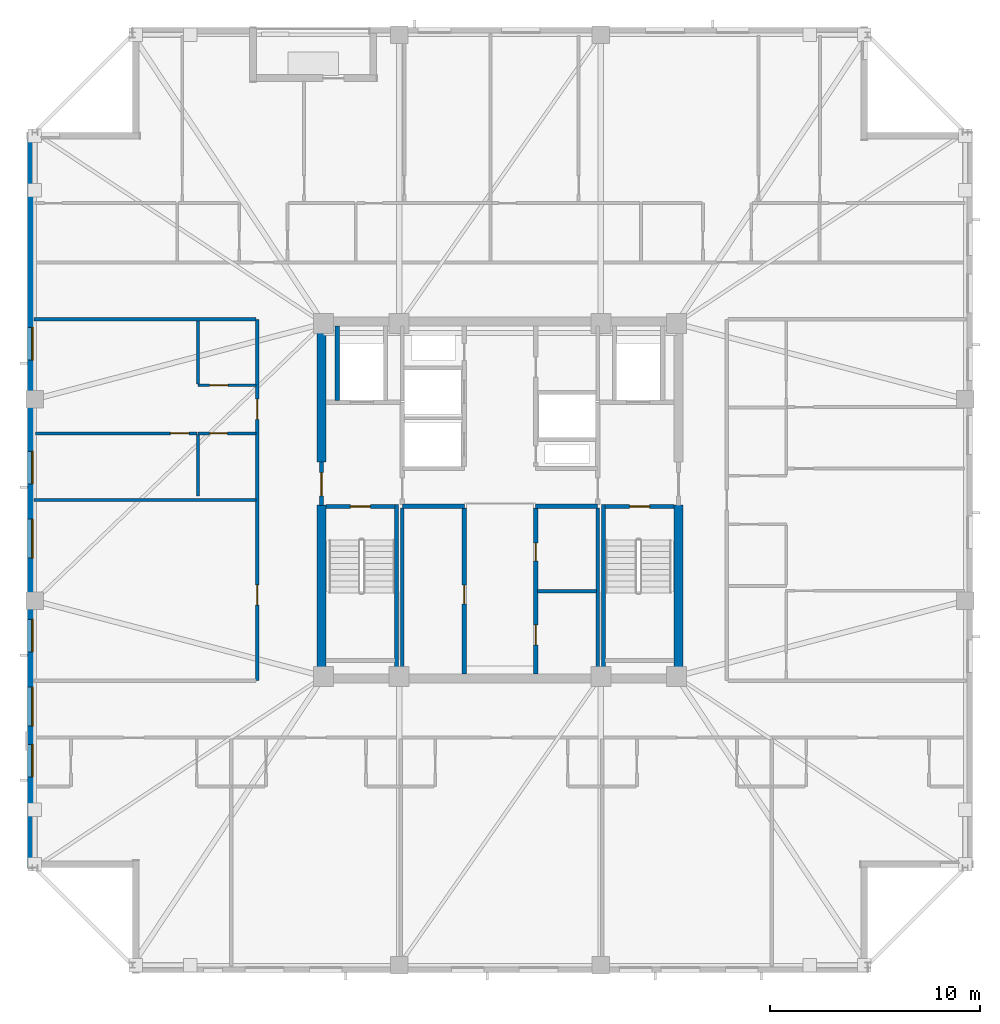
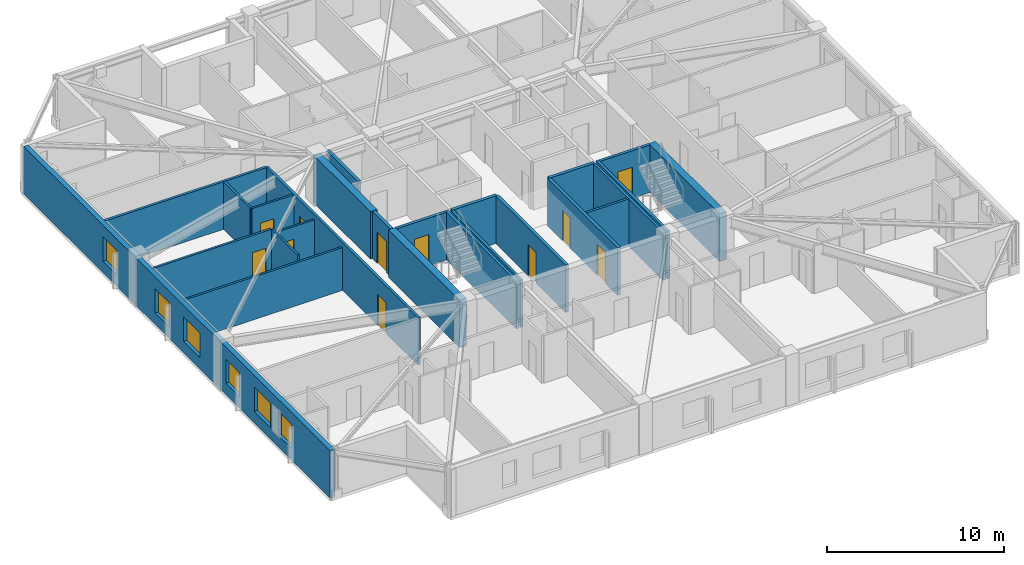
# One storey, part 8 of 17: 25 walls, 11 doors, 6 windows, 17 openings.
"""IFC4 building model written with IfcOpenShell, lengths in metres."""

from ifc_helpers import new_model, si_unit, direction, frame, frame_2d, origin, place, context, subcontext, project, spatial, rectangle, extrude, material, layer, layer_set, type_object, element, fill, save


model = new_model("IFC4")

# Units and contexts
model_context = context("Model", 3, precision=1e-05, world=origin(), true_north=direction((0.0, 1.0)))
body_context = subcontext(model_context, "Body", "Model", "MODEL_VIEW")
ifc_project = project(units=[si_unit("LENGTHUNIT", "METRE"), si_unit("AREAUNIT", "SQUARE_METRE"), si_unit("VOLUMEUNIT", "CUBIC_METRE"), si_unit("PLANEANGLEUNIT", "RADIAN"), si_unit("MASSUNIT", "GRAM", prefix="KILO")], contexts=[model_context])

# Site, building, storey
site_placement = place(None, origin())
site = spatial("IfcSite", under=ifc_project, at=site_placement, CompositionType="ELEMENT")
building_placement = place(site_placement, origin())
building = spatial("IfcBuilding", under=site, at=building_placement, Name="Cairnveth Concourse Tower", CompositionType="ELEMENT")
storey_placement = place(building_placement, frame((0.0, 0.0, 220.0)))
storey = spatial("IfcBuildingStorey", under=building, at=storey_placement, Name="L60", CompositionType="ELEMENT", Elevation=220.0)

# Walls
ifc_material_1 = material(Name="Gypsum Plasterboard Partition", Category="gypsum")
ifc_layer_1 = layer(ifc_material_1, 0.159912109375)
ifc_layer_set_1 = layer_set([ifc_layer_1], Name="Gypsum Plasterboard Partition")
wall_type_1 = type_object("IfcWallType", Name="ACOUSTIC PARTY WALL 180", PredefinedType="PARTITIONING", material=ifc_layer_set_1)
for number, where, z_axis, x_axis, name in (
    (1, (47.35009765625, 30.7099609375, 0.0), (0.0, 0.0, 1.0), (0.0, 1.0, 0.0), "Interior Wall IW-L60-025"),
    (2, (56.64990234375, 30.7099609375, 0.0), (0.0, 0.0, 1.0), (0.0, 1.0, 0.0), "Interior Wall IW-L60-026"),
):
    element("IfcWall", number, at=place(storey_placement, frame(where, z_axis=z_axis, x_axis=x_axis)), inside=storey, type_object=wall_type_1, Name=name, PredefinedType="PARTITIONING", context=body_context, shape_type="SweptSolid", body=[
        extrude(rectangle(XDim=7.905029296875, YDim=0.159912109375, at=frame_2d((3.95263671875, 0.0))), origin(), (0.0, 0.0, 1.0), 3.2900390625),
    ])
wall_1_placement = place(storey_placement, frame((53.784912109375, 34.64990234375, 0.0), z_axis=(0.0, 0.0, 1.0), x_axis=(1.0, 0.0, 0.0)))
element("IfcWall", 3, at=wall_1_placement, inside=storey, type_object=wall_type_1, Name="Interior Wall IW-L60-027", PredefinedType="PARTITIONING", context=body_context, shape_type="SweptSolid", body=[
    extrude(rectangle(XDim=2.800048828125, YDim=0.159912109375, at=frame_2d((1.39990234375, 0.0))), origin(), (0.0, 0.0, 1.0), 3.2900390625),
])

# Wall, openings, doors
wall_2_placement = place(storey_placement, frame((40.449951171875, 30.39990234375, 0.0), z_axis=(0.0, 0.0, 1.0), x_axis=(0.0, 1.0, 0.0)))
wall_2 = element("IfcWall", 4, at=wall_2_placement, inside=storey, type_object=wall_type_1, Name="Interior Wall IW-L60-036", PredefinedType="PARTITIONING", context=body_context, shape_type="SweptSolid", body=[
    extrude(rectangle(XDim=17.2001953125, YDim=0.159912109375, at=frame_2d((8.60009765625, 0.0))), origin(), (0.0, 0.0, 1.0), 3.2900390625),
])
opening_1_placement = place(wall_2_placement, frame((3.60009765625, 0.0, 0.0)))
opening_1 = element("IfcOpeningElement", 5, at=opening_1_placement, cuts=wall_2, Name="Opening ID11", PredefinedType="OPENING", context=body_context, shape_type="SweptSolid", body=[
    extrude(rectangle(XDim=0.9599609375, YDim=2.1201171875, at=frame_2d((0.47998046875, 1.06005859375))), frame((0.0, 0.08984375, 0.0), z_axis=(0.0, -1.0, 0.0), x_axis=(1.0, 0.0, 0.0)), (0.0, 0.0, 1.0), 0.179931640625),
])
opening_2_placement = place(wall_2_placement, frame((12.43994140625, 0.0, 0.0)))
opening_2 = element("IfcOpeningElement", 6, at=opening_2_placement, cuts=wall_2, Name="Opening ID10", PredefinedType="OPENING", context=body_context, shape_type="SweptSolid", body=[
    extrude(rectangle(XDim=0.9599609375, YDim=2.179931640625, at=frame_2d((0.47998046875, 1.08984375))), frame((0.0, 0.08984375, 0.0), z_axis=(0.0, -1.0, 0.0), x_axis=(1.0, 0.0, 0.0)), (0.0, 0.0, 1.0), 0.179931640625),
])
ifc_material_2 = material(Name="Solid Core Hardwood Timber Leaf", Category="wood")
door_type_1 = type_object("IfcDoorType", Name="FLAT ENTRANCE DOOR 960X2150", OperationType="NOTDEFINED", PredefinedType="DOOR", material=ifc_material_2)
door_1_placement = place(opening_2_placement, origin())
door_1 = element("IfcDoor", 7, at=door_1_placement, inside=storey, type_object=door_type_1, Name="Apartment L60W1 Entrance Door", OperationType="SINGLE_SWING_RIGHT", OverallHeight=2.179931640625, OverallWidth=0.9599609375, PredefinedType="DOOR", context=body_context, shape_type="SweptSolid", body=[
    extrude(rectangle(XDim=0.9599609375, YDim=2.179931640625, at=frame_2d((0.47998046875, 1.08984375))), frame((0.0, 0.02490234375, 0.0), z_axis=(0.0, -1.0, 0.0), x_axis=(1.0, 0.0, 0.0)), (0.0, 0.0, 1.0), 0.050048828125),
])
fill(opening_2, door_1)
door_type_2 = type_object("IfcDoorType", Name="INTERIOR SINGLE DOOR 960X2150", OperationType="NOTDEFINED", PredefinedType="DOOR", material=ifc_material_2)
door_2_placement = place(opening_1_placement, origin())
door_2 = element("IfcDoor", 8, at=door_2_placement, inside=storey, type_object=door_type_2, Name="Interior Door DR-L60-046", OperationType="SINGLE_SWING_RIGHT", OverallHeight=2.1201171875, OverallWidth=0.9599609375, PredefinedType="DOOR", context=body_context, shape_type="SweptSolid", body=[
    extrude(rectangle(XDim=0.9599609375, YDim=2.1201171875, at=frame_2d((0.47998046875, 1.06005859375))), frame((0.0, 0.02490234375, 0.0), z_axis=(0.0, -1.0, 0.0), x_axis=(1.0, 0.0, 0.0)), (0.0, 0.0, 1.0), 0.050048828125),
])
fill(opening_1, door_2)

# Walls
wall_3_placement = place(storey_placement, frame((29.804931640625, 47.60009765625, 0.0), z_axis=(0.0, 0.0, 1.0), x_axis=(1.0, 0.0, 0.0)))
element("IfcWall", 9, at=wall_3_placement, inside=storey, type_object=wall_type_1, Name="Interior Wall IW-L60-039", PredefinedType="PARTITIONING", context=body_context, shape_type="SweptSolid", body=[
    extrude(rectangle(XDim=10.580078125, YDim=0.159912109375, at=frame_2d((5.2900390625, 0.0))), origin(), (0.0, 0.0, 1.0), 3.2900390625),
])
ifc_material_3 = material(Name="Concrete N65 (65 MPa)", Category="concrete")
ifc_layer_2 = layer(ifc_material_3, 0.449951171875)
ifc_layer_set_2 = layer_set([ifc_layer_2], Name="Concrete N65 (65 MPa)")
wall_type_2 = type_object("IfcWallType", Name="CORE SHEAR WALL 450", PredefinedType="SHEAR", material=ifc_layer_set_2)
wall_4_placement = place(storey_placement, frame((43.5, 30.715087890625, 0.0), z_axis=(0.0, 0.0, 1.0), x_axis=(0.0, 1.0, 0.0)))
element("IfcWall", 10, at=wall_4_placement, inside=storey, type_object=wall_type_2, Name="Core West Shear Wall S L60", PredefinedType="SHEAR", context=body_context, shape_type="SweptSolid", body=[
    extrude(rectangle(XDim=8.034912109375, YDim=0.449951171875, at=frame_2d((4.017578125, 0.0))), origin(), (0.0, 0.0, 1.0), 3.2900390625),
])
wall_5_placement = place(storey_placement, frame((43.5, 40.800048828125, 0.0), z_axis=(0.0, 0.0, 1.0), x_axis=(0.0, 1.0, 0.0)))
element("IfcWall", 11, at=wall_5_placement, inside=storey, type_object=wall_type_2, Name="Core West Shear Wall N L60", PredefinedType="SHEAR", context=body_context, shape_type="SweptSolid", body=[
    extrude(rectangle(XDim=6.48486328125, YDim=0.449951171875, at=frame_2d((3.242431640625, 0.0))), origin(), (0.0, 0.0, 1.0), 3.2900390625),
])
wall_6_placement = place(storey_placement, frame((60.5, 30.715087890625, 0.0), z_axis=(0.0, 0.0, 1.0), x_axis=(0.0, 1.0, 0.0)))
element("IfcWall", 12, at=wall_6_placement, inside=storey, type_object=wall_type_2, Name="Core East Shear Wall S L60", PredefinedType="SHEAR", context=body_context, shape_type="SweptSolid", body=[
    extrude(rectangle(XDim=8.034912109375, YDim=0.449951171875, at=frame_2d((4.017578125, 0.0))), origin(), (0.0, 0.0, 1.0), 3.2900390625),
])

# Wall, opening, door
ifc_material_4 = material(Name="Concrete N50 (50 MPa)", Category="concrete")
ifc_layer_3 = layer(ifc_material_4, 0.179931640625)
ifc_layer_set_3 = layer_set([ifc_layer_3], Name="Concrete N50 (50 MPa)")
wall_type_3 = type_object("IfcWallType", Name="FIRE SHAFT WALL 180", PredefinedType="SOLIDWALL", material=ifc_layer_set_3)
wall_7_placement = place(storey_placement, frame((43.715087890625, 38.68994140625, 0.0), z_axis=(0.0, 0.0, 1.0), x_axis=(1.0, 0.0, 0.0)))
wall_7 = element("IfcWall", 13, at=wall_7_placement, inside=storey, type_object=wall_type_3, Name="Stair ST-1 Shaft Wall NEAR L60", PredefinedType="SOLIDWALL", context=body_context, shape_type="SweptSolid", body=[
    extrude(rectangle(XDim=3.280029296875, YDim=0.179931640625, at=frame_2d((1.64013671875, 0.0))), origin(), (0.0, 0.0, 1.0), 3.2900390625),
])
opening_3_placement = place(wall_7_placement, frame((1.1650390625, 0.0, 0.0)))
opening_3 = element("IfcOpeningElement", 14, at=opening_3_placement, cuts=wall_7, Name="Opening ID12", PredefinedType="OPENING", context=body_context, shape_type="SweptSolid", body=[
    extrude(rectangle(XDim=0.949951171875, YDim=2.14990234375, at=frame_2d((0.47509765625, 1.074951171875))), frame((0.0, 0.099853515625, 0.0), z_axis=(0.0, -1.0, 0.0), x_axis=(1.0, 0.0, 0.0)), (0.0, 0.0, 1.0), 0.199951171875),
])
ifc_material_5 = material(Name="Steel Grade 350", Category="steel")
door_type_3 = type_object("IfcDoorType", Name="FIRE STAIR DOOR 950X2150", OperationType="NOTDEFINED", PredefinedType="DOOR", material=ifc_material_5)
door_3_placement = place(opening_3_placement, origin())
door_3 = element("IfcDoor", 15, at=door_3_placement, inside=storey, type_object=door_type_3, Name="Stair ST-1 Fire Door L60", OperationType="SINGLE_SWING_LEFT", OverallHeight=2.14990234375, OverallWidth=0.949951171875, PredefinedType="DOOR", context=body_context, shape_type="SweptSolid", body=[
    extrude(rectangle(XDim=0.949951171875, YDim=2.14990234375, at=frame_2d((0.47509765625, 1.074951171875))), frame((0.0, 0.02490234375, 0.0), z_axis=(0.0, -1.0, 0.0), x_axis=(1.0, 0.0, 0.0)), (0.0, 0.0, 1.0), 0.050048828125),
])
fill(opening_3, door_3)

# Wall
wall_8_placement = place(storey_placement, frame((47.070068359375, 38.780029296875, 0.0), z_axis=(0.0, 0.0, 1.0), x_axis=(0.0, -1.0, 0.0)))
element("IfcWall", 16, at=wall_8_placement, inside=storey, type_object=wall_type_3, Name="Stair ST-1 Shaft Wall RGHT L60", PredefinedType="SOLIDWALL", context=body_context, shape_type="SweptSolid", body=[
    extrude(rectangle(XDim=8.067138671875, YDim=0.179931640625, at=frame_2d((4.03369140625, 0.0))), origin(), (0.0, 0.0, 1.0), 3.2900390625),
])

# Wall, opening, door
wall_9_placement = place(storey_placement, frame((57.0048828125, 38.68994140625, 0.0), z_axis=(0.0, 0.0, 1.0), x_axis=(1.0, 0.0, 0.0)))
wall_9 = element("IfcWall", 17, at=wall_9_placement, inside=storey, type_object=wall_type_3, Name="Stair ST-2 Shaft Wall NEAR L60", PredefinedType="SOLIDWALL", context=body_context, shape_type="SweptSolid", body=[
    extrude(rectangle(XDim=3.280029296875, YDim=0.179931640625, at=frame_2d((1.64013671875, 0.0))), origin(), (0.0, 0.0, 1.0), 3.2900390625),
])
opening_4_placement = place(wall_9_placement, frame((1.1650390625, 0.0, 0.0)))
opening_4 = element("IfcOpeningElement", 18, at=opening_4_placement, cuts=wall_9, Name="Opening ID12", PredefinedType="OPENING", context=body_context, shape_type="SweptSolid", body=[
    extrude(rectangle(XDim=0.949951171875, YDim=2.14990234375, at=frame_2d((0.47509765625, 1.074951171875))), frame((0.0, 0.099853515625, 0.0), z_axis=(0.0, -1.0, 0.0), x_axis=(1.0, 0.0, 0.0)), (0.0, 0.0, 1.0), 0.199951171875),
])
door_4_placement = place(opening_4_placement, origin())
door_4 = element("IfcDoor", 19, at=door_4_placement, inside=storey, type_object=door_type_3, Name="Stair ST-2 Fire Door L60", OperationType="SINGLE_SWING_RIGHT", OverallHeight=2.14990234375, OverallWidth=0.949951171875, PredefinedType="DOOR", context=body_context, shape_type="SweptSolid", body=[
    extrude(rectangle(XDim=0.949951171875, YDim=2.14990234375, at=frame_2d((0.47509765625, 1.074951171875))), frame((0.0, 0.02490234375, 0.0), z_axis=(0.0, -1.0, 0.0), x_axis=(1.0, 0.0, 0.0)), (0.0, 0.0, 1.0), 0.050048828125),
])
fill(opening_4, door_4)

# Walls
wall_10_placement = place(storey_placement, frame((56.929931640625, 38.780029296875, 0.0), z_axis=(0.0, 0.0, 1.0), x_axis=(0.0, -1.0, 0.0)))
element("IfcWall", 20, at=wall_10_placement, inside=storey, type_object=wall_type_3, Name="Stair ST-2 Shaft Wall LEFT L60", PredefinedType="SOLIDWALL", context=body_context, shape_type="SweptSolid", body=[
    extrude(rectangle(XDim=8.067138671875, YDim=0.179931640625, at=frame_2d((4.03369140625, 0.0))), origin(), (0.0, 0.0, 1.0), 3.2900390625),
])
ifc_layer_4 = layer(ifc_material_4, 0.199951171875)
ifc_layer_set_4 = layer_set([ifc_layer_4], Name="Concrete N50 (50 MPa)")
wall_type_4 = type_object("IfcWallType", Name="FIRE SHAFT WALL 200", PredefinedType="SOLIDWALL", material=ifc_layer_set_4)
for number, where, z_axis, x_axis, name in (
    (21, (47.35009765625, 38.699951171875, 0.0), (0.0, 0.0, 1.0), (1.0, 0.0, 0.0), "Interior Wall IW-L60-007"),
    (22, (53.699951171875, 38.699951171875, 0.0), (0.0, 0.0, 1.0), (1.0, 0.0, 0.0), "Interior Wall IW-L60-009"),
):
    element("IfcWall", number, at=place(storey_placement, frame(where, z_axis=z_axis, x_axis=x_axis)), inside=storey, type_object=wall_type_4, Name=name, PredefinedType="SOLIDWALL", context=body_context, shape_type="SweptSolid", body=[
        extrude(rectangle(XDim=2.949951171875, YDim=0.199951171875, at=frame_2d((1.47509765625, 0.0))), origin(), (0.0, 0.0, 1.0), 3.2900390625),
    ])

# Wall, opening, door
wall_11_placement = place(storey_placement, frame((50.300048828125, 30.7099609375, 0.0), z_axis=(0.0, 0.0, 1.0), x_axis=(0.0, 1.0, 0.0)))
wall_11 = element("IfcWall", 23, at=wall_11_placement, inside=storey, type_object=wall_type_4, Name="Interior Wall IW-L60-011", PredefinedType="SOLIDWALL", context=body_context, shape_type="SweptSolid", body=[
    extrude(rectangle(XDim=7.905029296875, YDim=0.199951171875, at=frame_2d((3.95263671875, 0.0))), origin(), (0.0, 0.0, 1.0), 3.2900390625),
])
opening_5_placement = place(wall_11_placement, frame((3.340087890625, 0.0, 0.0)))
opening_5 = element("IfcOpeningElement", 24, at=opening_5_placement, cuts=wall_11, Name="Opening ID16", PredefinedType="OPENING", context=body_context, shape_type="SweptSolid", body=[
    extrude(rectangle(XDim=0.89990234375, YDim=2.1201171875, at=frame_2d((0.449951171875, 1.06005859375))), frame((0.0, 0.10986328125, 0.0), z_axis=(0.0, -1.0, 0.0), x_axis=(1.0, 0.0, 0.0)), (0.0, 0.0, 1.0), 0.219970703125),
])
door_type_4 = type_object("IfcDoorType", Name="CORE SERVICE DOOR 900X2100", OperationType="NOTDEFINED", PredefinedType="DOOR", material=ifc_material_5)
door_5_placement = place(opening_5_placement, origin())
door_5 = element("IfcDoor", 25, at=door_5_placement, inside=storey, type_object=door_type_4, Name="Linen Pantry Suite Door L60", OperationType="SINGLE_SWING_LEFT", OverallHeight=2.1201171875, OverallWidth=0.89990234375, PredefinedType="DOOR", context=body_context, shape_type="SweptSolid", body=[
    extrude(rectangle(XDim=0.89990234375, YDim=2.1201171875, at=frame_2d((0.449951171875, 1.06005859375))), frame((0.0, 0.02490234375, 0.0), z_axis=(0.0, -1.0, 0.0), x_axis=(1.0, 0.0, 0.0)), (0.0, 0.0, 1.0), 0.050048828125),
])
fill(opening_5, door_5)

# Wall, openings, doors
wall_12_placement = place(storey_placement, frame((53.699951171875, 30.7099609375, 0.0), z_axis=(0.0, 0.0, 1.0), x_axis=(0.0, 1.0, 0.0)))
wall_12 = element("IfcWall", 26, at=wall_12_placement, inside=storey, type_object=wall_type_4, Name="Interior Wall IW-L60-012", PredefinedType="SOLIDWALL", context=body_context, shape_type="SweptSolid", body=[
    extrude(rectangle(XDim=7.905029296875, YDim=0.199951171875, at=frame_2d((3.95263671875, 0.0))), origin(), (0.0, 0.0, 1.0), 3.2900390625),
])
opening_6_placement = place(wall_12_placement, frame((1.389892578125, 0.0, 0.0)))
opening_6 = element("IfcOpeningElement", 27, at=opening_6_placement, cuts=wall_12, Name="Opening ID25", PredefinedType="OPENING", context=body_context, shape_type="SweptSolid", body=[
    extrude(rectangle(XDim=0.949951171875, YDim=2.1201171875, at=frame_2d((0.47509765625, 1.06005859375))), frame((0.0, 0.10986328125, 0.0), z_axis=(0.0, -1.0, 0.0), x_axis=(1.0, 0.0, 0.0)), (0.0, 0.0, 1.0), 0.219970703125),
])
opening_7_placement = place(wall_12_placement, frame((5.389892578125, 0.0, 0.0)))
opening_7 = element("IfcOpeningElement", 28, at=opening_7_placement, cuts=wall_12, Name="Opening ID19", PredefinedType="OPENING", context=body_context, shape_type="SweptSolid", body=[
    extrude(rectangle(XDim=0.85009765625, YDim=2.1201171875, at=frame_2d((0.425048828125, 1.06005859375))), frame((0.0, 0.10986328125, 0.0), z_axis=(0.0, -1.0, 0.0), x_axis=(1.0, 0.0, 0.0)), (0.0, 0.0, 1.0), 0.219970703125),
])
door_type_5 = type_object("IfcDoorType", Name="CORE ACCESSIBLE FIRE DOOR 950X2120", OperationType="NOTDEFINED", PredefinedType="DOOR", material=ifc_material_5)
door_6_placement = place(opening_6_placement, origin())
door_6 = element("IfcDoor", 29, at=door_6_placement, inside=storey, type_object=door_type_5, Name="Sky WC Door L60", OperationType="SINGLE_SWING_RIGHT", OverallHeight=2.1201171875, OverallWidth=0.949951171875, PredefinedType="DOOR", context=body_context, shape_type="SweptSolid", body=[
    extrude(rectangle(XDim=0.949951171875, YDim=2.1201171875, at=frame_2d((0.47509765625, 1.06005859375))), frame((0.0, 0.02490234375, 0.0), z_axis=(0.0, -1.0, 0.0), x_axis=(1.0, 0.0, 0.0)), (0.0, 0.0, 1.0), 0.050048828125),
])
fill(opening_6, door_6)
door_type_6 = type_object("IfcDoorType", Name="CORE SERVICE DOOR 850X2100", OperationType="NOTDEFINED", PredefinedType="DOOR", material=ifc_material_5)
door_7_placement = place(opening_7_placement, origin())
door_7 = element("IfcDoor", 30, at=door_7_placement, inside=storey, type_object=door_type_6, Name="Janitor Door L60", OperationType="SINGLE_SWING_LEFT", OverallHeight=2.1201171875, OverallWidth=0.85009765625, PredefinedType="DOOR", context=body_context, shape_type="SweptSolid", body=[
    extrude(rectangle(XDim=0.85009765625, YDim=2.1201171875, at=frame_2d((0.425048828125, 1.06005859375))), frame((0.0, 0.02490234375, 0.0), z_axis=(0.0, -1.0, 0.0), x_axis=(1.0, 0.0, 0.0)), (0.0, 0.0, 1.0), 0.050048828125),
])
fill(opening_7, door_7)

# Wall, opening, door
wall_13_placement = place(storey_placement, frame((43.5, 38.75, 0.0), z_axis=(0.0, 0.0, 1.0), x_axis=(0.0, 1.0, 0.0)))
wall_13 = element("IfcWall", 31, at=wall_13_placement, inside=storey, type_object=wall_type_4, Name="Interior Wall IW-L60-015", PredefinedType="SOLIDWALL", context=body_context, shape_type="SweptSolid", body=[
    extrude(rectangle(XDim=2.050048828125, YDim=0.199951171875, at=frame_2d((1.02490234375, 0.0))), origin(), (0.0, 0.0, 1.0), 3.2900390625),
])
opening_8_placement = place(wall_13_placement, frame((0.449951171875, 0.0, 0.0)))
opening_8 = element("IfcOpeningElement", 32, at=opening_8_placement, cuts=wall_13, Name="Opening ID06", PredefinedType="OPENING", context=body_context, shape_type="SweptSolid", body=[
    extrude(rectangle(XDim=1.10009765625, YDim=2.14990234375, at=frame_2d((0.550048828125, 1.074951171875))), frame((0.0, 0.10986328125, 0.0), z_axis=(0.0, -1.0, 0.0), x_axis=(1.0, 0.0, 0.0)), (0.0, 0.0, 1.0), 0.219970703125),
])
door_type_7 = type_object("IfcDoorType", Name="FIRE CORRIDOR DOOR 1100X2150", OperationType="NOTDEFINED", PredefinedType="DOOR", material=ifc_material_5)
door_8_placement = place(opening_8_placement, origin())
door_8 = element("IfcDoor", 33, at=door_8_placement, inside=storey, type_object=door_type_7, Name="West Wing to FF Lobby Door L60", OperationType="SINGLE_SWING_LEFT", OverallHeight=2.14990234375, OverallWidth=1.10009765625, PredefinedType="DOOR", context=body_context, shape_type="SweptSolid", body=[
    extrude(rectangle(XDim=1.10009765625, YDim=2.14990234375, at=frame_2d((0.550048828125, 1.074951171875))), frame((0.0, 0.02490234375, 0.0), z_axis=(0.0, -1.0, 0.0), x_axis=(1.0, 0.0, 0.0)), (0.0, 0.0, 1.0), 0.050048828125),
])
fill(opening_8, door_8)

# Walls
wall_14_placement = place(storey_placement, frame((44.25, 43.735107421875, 0.0), z_axis=(0.0, 0.0, 1.0), x_axis=(0.0, 1.0, 0.0)))
element("IfcWall", 34, at=wall_14_placement, inside=storey, type_object=wall_type_4, Name="Interior Wall IW-L60-019", PredefinedType="SOLIDWALL", context=body_context, shape_type="SweptSolid", body=[
    extrude(rectangle(XDim=3.554931640625, YDim=0.199951171875, at=frame_2d((1.77734375, 0.0))), origin(), (0.0, 0.0, 1.0), 3.2900390625),
])
ifc_layer_5 = layer(ifc_material_1, 0.139892578125)
ifc_layer_set_5 = layer_set([ifc_layer_5], Name="Gypsum Plasterboard Partition")
wall_type_5 = type_object("IfcWallType", Name="GYPSUM STUD PARTITION 140", PredefinedType="PARTITIONING", material=ifc_layer_set_5)
wall_15_placement = place(storey_placement, frame((29.804931640625, 39.0, 0.0), z_axis=(0.0, 0.0, 1.0), x_axis=(1.0, 0.0, 0.0)))
element("IfcWall", 35, at=wall_15_placement, inside=storey, type_object=wall_type_5, Name="Interior Wall IW-L60-089", PredefinedType="PARTITIONING", context=body_context, shape_type="SweptSolid", body=[
    extrude(rectangle(XDim=10.565185546875, YDim=0.139892578125, at=frame_2d((5.28271484375, 0.0))), origin(), (0.0, 0.0, 1.0), 2.9580078125),
])

# Wall, opening, door
wall_16_placement = place(storey_placement, frame((29.8798828125, 42.169921875, 0.0), z_axis=(0.0, 0.0, 1.0), x_axis=(1.0, 0.0, 0.0)))
wall_16 = element("IfcWall", 36, at=wall_16_placement, inside=storey, type_object=wall_type_5, Name="Interior Wall IW-L60-094", PredefinedType="PARTITIONING", context=body_context, shape_type="SweptSolid", body=[
    extrude(rectangle(XDim=7.690185546875, YDim=0.139892578125, at=frame_2d((3.84521484375, 0.0))), origin(), (0.0, 0.0, 1.0), 3.2900390625),
])
opening_9_placement = place(wall_16_placement, frame((6.429931640625, 0.0, 0.0)))
opening_9 = element("IfcOpeningElement", 37, at=opening_9_placement, cuts=wall_16, Name="Opening ID18", PredefinedType="OPENING", context=body_context, shape_type="SweptSolid", body=[
    extrude(rectangle(XDim=0.8798828125, YDim=2.10009765625, at=frame_2d((0.43994140625, 1.050048828125))), frame((0.0, 0.079833984375, 0.0), z_axis=(0.0, -1.0, 0.0), x_axis=(1.0, 0.0, 0.0)), (0.0, 0.0, 1.0), 0.159912109375),
])
door_type_8 = type_object("IfcDoorType", Name="INTERIOR SINGLE DOOR 880X2100", OperationType="NOTDEFINED", PredefinedType="DOOR", material=ifc_material_2)
door_9_placement = place(opening_9_placement, origin())
door_9 = element("IfcDoor", 38, at=door_9_placement, inside=storey, type_object=door_type_8, Name="L60W1 Master Bedroom Door", OperationType="SINGLE_SWING_LEFT", OverallHeight=2.10009765625, OverallWidth=0.8798828125, PredefinedType="DOOR", context=body_context, shape_type="SweptSolid", body=[
    extrude(rectangle(XDim=0.8798828125, YDim=2.10009765625, at=frame_2d((0.43994140625, 1.050048828125))), frame((0.0, 0.02490234375, 0.0), z_axis=(0.0, -1.0, 0.0), x_axis=(1.0, 0.0, 0.0)), (0.0, 0.0, 1.0), 0.050048828125),
])
fill(opening_9, door_9)

ifc_layer_6 = layer(ifc_material_1, 0.1298828125)
ifc_layer_set_6 = layer_set([ifc_layer_6], Name="Gypsum Plasterboard Partition")
wall_type_6 = type_object("IfcWallType", Name="WET AREA PARTITION 140", PredefinedType="PLUMBINGWALL", material=ifc_layer_set_6)
wall_17_placement = place(storey_placement, frame((37.6201171875, 42.169921875, 0.0), z_axis=(0.0, 0.0, 1.0), x_axis=(1.0, 0.0, 0.0)))
wall_17 = element("IfcWall", 39, at=wall_17_placement, inside=storey, type_object=wall_type_6, Name="Interior Wall IW-L60-090", PredefinedType="PLUMBINGWALL", context=body_context, shape_type="SweptSolid", body=[
    extrude(rectangle(XDim=2.75, YDim=0.1298828125, at=frame_2d((1.375, 0.0))), origin(), (0.0, 0.0, 1.0), 2.9580078125),
])
opening_10_placement = place(wall_17_placement, frame((0.550048828125, 0.0, 0.0)))
opening_10 = element("IfcOpeningElement", 40, at=opening_10_placement, cuts=wall_17, Name="Opening ID21", PredefinedType="OPENING", context=body_context, shape_type="SweptSolid", body=[
    extrude(rectangle(XDim=0.85009765625, YDim=2.080078125, at=frame_2d((0.425048828125, 1.0400390625))), frame((0.0, 0.074951171875, 0.0), z_axis=(0.0, -1.0, 0.0), x_axis=(1.0, 0.0, 0.0)), (0.0, 0.0, 1.0), 0.14990234375),
])
door_type_9 = type_object("IfcDoorType", Name="INTERIOR WC DOOR 850X2100", OperationType="NOTDEFINED", PredefinedType="DOOR", material=ifc_material_2)
door_10_placement = place(opening_10_placement, origin())
door_10 = element("IfcDoor", 41, at=door_10_placement, inside=storey, type_object=door_type_9, Name="L60W1 Bathroom Door", OperationType="SINGLE_SWING_LEFT", OverallHeight=2.080078125, OverallWidth=0.85009765625, PredefinedType="DOOR", context=body_context, shape_type="SweptSolid", body=[
    extrude(rectangle(XDim=0.85009765625, YDim=2.080078125, at=frame_2d((0.425048828125, 1.0400390625))), frame((0.0, 0.02490234375, 0.0), z_axis=(0.0, -1.0, 0.0), x_axis=(1.0, 0.0, 0.0)), (0.0, 0.0, 1.0), 0.050048828125),
])
fill(opening_10, door_10)

# Wall
wall_18_placement = place(storey_placement, frame((37.6201171875, 39.179931640625, 0.0), z_axis=(0.0, 0.0, 1.0), x_axis=(0.0, 1.0, 0.0)))
element("IfcWall", 42, at=wall_18_placement, inside=storey, type_object=wall_type_6, Name="Interior Wall IW-L60-091", PredefinedType="PLUMBINGWALL", context=body_context, shape_type="SweptSolid", body=[
    extrude(rectangle(XDim=2.940185546875, YDim=0.1298828125, at=frame_2d((1.47021484375, 0.0))), origin(), (0.0, 0.0, 1.0), 3.2900390625),
])

# Wall, opening, door
wall_19_placement = place(storey_placement, frame((37.6201171875, 44.469970703125, 0.0), z_axis=(0.0, 0.0, 1.0), x_axis=(1.0, 0.0, 0.0)))
wall_19 = element("IfcWall", 43, at=wall_19_placement, inside=storey, type_object=wall_type_6, Name="Interior Wall IW-L60-092", PredefinedType="PLUMBINGWALL", context=body_context, shape_type="SweptSolid", body=[
    extrude(rectangle(XDim=2.75, YDim=0.1298828125, at=frame_2d((1.375, 0.0))), origin(), (0.0, 0.0, 1.0), 3.2900390625),
])
opening_11_placement = place(wall_19_placement, frame((0.550048828125, 0.0, 0.0)))
opening_11 = element("IfcOpeningElement", 44, at=opening_11_placement, cuts=wall_19, Name="Opening ID18", PredefinedType="OPENING", context=body_context, shape_type="SweptSolid", body=[
    extrude(rectangle(XDim=0.8798828125, YDim=2.10009765625, at=frame_2d((0.43994140625, 1.050048828125))), frame((0.0, 0.074951171875, 0.0), z_axis=(0.0, -1.0, 0.0), x_axis=(1.0, 0.0, 0.0)), (0.0, 0.0, 1.0), 0.14990234375),
])
door_11_placement = place(opening_11_placement, origin())
door_11 = element("IfcDoor", 45, at=door_11_placement, inside=storey, type_object=door_type_8, Name="L60W1 Kitchen Door", OperationType="SINGLE_SWING_RIGHT", OverallHeight=2.10009765625, OverallWidth=0.8798828125, PredefinedType="DOOR", context=body_context, shape_type="SweptSolid", body=[
    extrude(rectangle(XDim=0.8798828125, YDim=2.10009765625, at=frame_2d((0.43994140625, 1.050048828125))), frame((0.0, 0.02490234375, 0.0), z_axis=(0.0, -1.0, 0.0), x_axis=(1.0, 0.0, 0.0)), (0.0, 0.0, 1.0), 0.050048828125),
])
fill(opening_11, door_11)

# Wall
wall_20_placement = place(storey_placement, frame((37.6201171875, 44.52001953125, 0.0), z_axis=(0.0, 0.0, 1.0), x_axis=(0.0, 1.0, 0.0)))
element("IfcWall", 46, at=wall_20_placement, inside=storey, type_object=wall_type_6, Name="Interior Wall IW-L60-093", PredefinedType="PLUMBINGWALL", context=body_context, shape_type="SweptSolid", body=[
    extrude(rectangle(XDim=3.014892578125, YDim=0.1298828125, at=frame_2d((1.50732421875, 0.0))), origin(), (0.0, 0.0, 1.0), 3.2900390625),
])

# Wall, openings, windows
ifc_material_6 = material(Name="Melbourne Buff Fired Clay Brick Masonry", Category="masonry")
ifc_layer_7 = layer(ifc_material_6, 0.320068359375)
ifc_layer_set_7 = layer_set([ifc_layer_7], Name="Melbourne Buff Fired Clay Brick Masonry")
wall_type_7 = type_object("IfcWallType", Name="ZONE 3 BRICK PIER SPANDREL WALL 320", PredefinedType="SOLIDWALL", material=ifc_layer_set_7)
wall_21_placement = place(storey_placement, frame((29.659912109375, 21.5, 0.0), z_axis=(0.0, 0.0, 1.0), x_axis=(0.0, 1.0, 0.0)))
wall_21 = element("IfcWall", 47, at=wall_21_placement, inside=storey, type_object=wall_type_7, Name="Exterior Wall EW-L60-S09", PredefinedType="SOLIDWALL", context=body_context, shape_type="SweptSolid", body=[
    extrude(rectangle(XDim=34.701904296875, YDim=0.320068359375, at=frame_2d((17.35107421875, 0.0))), origin(), (0.0, 0.0, 1.0), 3.2900390625),
])
opening_12_placement = place(wall_21_placement, frame((4.3125, 0.0, 0.800048828125)))
opening_12 = element("IfcOpeningElement", 48, at=opening_12_placement, cuts=wall_21, Name="Opening W07", PredefinedType="OPENING", context=body_context, shape_type="SweptSolid", body=[
    extrude(rectangle(XDim=1.550048828125, YDim=1.677978515625, at=frame_2d((0.77490234375, 0.8388671875))), frame((0.0, 0.169921875, 0.0), z_axis=(0.0, -1.0, 0.0), x_axis=(1.0, 0.0, 0.0)), (0.0, 0.0, 1.0), 0.340087890625),
])
opening_13_placement = place(wall_21_placement, frame((6.73779296875, 0.0, 0.800048828125)))
opening_13 = element("IfcOpeningElement", 49, at=opening_13_placement, cuts=wall_21, Name="Opening W08", PredefinedType="OPENING", context=body_context, shape_type="SweptSolid", body=[
    extrude(rectangle(XDim=1.85009765625, YDim=1.677978515625, at=frame_2d((0.925048828125, 0.8388671875))), frame((0.0, 0.169921875, 0.0), z_axis=(0.0, -1.0, 0.0), x_axis=(1.0, 0.0, 0.0)), (0.0, 0.0, 1.0), 0.340087890625),
])
opening_14_placement = place(wall_21_placement, frame((10.26318359375, 0.0, 0.800048828125)))
opening_14 = element("IfcOpeningElement", 50, at=opening_14_placement, cuts=wall_21, Name="Opening W07", PredefinedType="OPENING", context=body_context, shape_type="SweptSolid", body=[
    extrude(rectangle(XDim=1.550048828125, YDim=1.677978515625, at=frame_2d((0.77490234375, 0.8388671875))), frame((0.0, 0.169921875, 0.0), z_axis=(0.0, -1.0, 0.0), x_axis=(1.0, 0.0, 0.0)), (0.0, 0.0, 1.0), 0.340087890625),
])
opening_15_placement = place(wall_21_placement, frame((14.73828125, 0.0, 0.800048828125)))
opening_15 = element("IfcOpeningElement", 51, at=opening_15_placement, cuts=wall_21, Name="Opening W08", PredefinedType="OPENING", context=body_context, shape_type="SweptSolid", body=[
    extrude(rectangle(XDim=1.85009765625, YDim=1.677978515625, at=frame_2d((0.925048828125, 0.8388671875))), frame((0.0, 0.169921875, 0.0), z_axis=(0.0, -1.0, 0.0), x_axis=(1.0, 0.0, 0.0)), (0.0, 0.0, 1.0), 0.340087890625),
])
opening_16_placement = place(wall_21_placement, frame((18.263671875, 0.0, 0.800048828125)))
opening_16 = element("IfcOpeningElement", 52, at=opening_16_placement, cuts=wall_21, Name="Opening W07", PredefinedType="OPENING", context=body_context, shape_type="SweptSolid", body=[
    extrude(rectangle(XDim=1.550048828125, YDim=1.677978515625, at=frame_2d((0.77490234375, 0.8388671875))), frame((0.0, 0.169921875, 0.0), z_axis=(0.0, -1.0, 0.0), x_axis=(1.0, 0.0, 0.0)), (0.0, 0.0, 1.0), 0.340087890625),
])
opening_17_placement = place(wall_21_placement, frame((24.1640625, 0.0, 0.800048828125)))
opening_17 = element("IfcOpeningElement", 53, at=opening_17_placement, cuts=wall_21, Name="Opening W07", PredefinedType="OPENING", context=body_context, shape_type="SweptSolid", body=[
    extrude(rectangle(XDim=1.550048828125, YDim=1.677978515625, at=frame_2d((0.77490234375, 0.8388671875))), frame((0.0, 0.169921875, 0.0), z_axis=(0.0, -1.0, 0.0), x_axis=(1.0, 0.0, 0.0)), (0.0, 0.0, 1.0), 0.340087890625),
])
ifc_material_7 = material(Name="Double Glazed Low-E Clear Glass", Category="glass")
window_type_1 = type_object("IfcWindowType", Name="DEEP-SET APARTMENT LIVING WINDOW 1850X1850", PartitioningType="DOUBLE_PANEL_VERTICAL", PredefinedType="WINDOW", material=ifc_material_7)
window_1_placement = place(opening_13_placement, origin())
window_1 = element("IfcWindow", 54, at=window_1_placement, inside=storey, type_object=window_type_1, Name="Gothic Lancet Window L60-9-2", OverallHeight=1.677978515625, OverallWidth=1.85009765625, PartitioningType="SINGLE_PANEL", PredefinedType="WINDOW", context=body_context, shape_type="SweptSolid", body=[
    extrude(rectangle(XDim=1.85009765625, YDim=1.677978515625, at=frame_2d((0.925048828125, 0.8388671875))), frame((0.0, -0.050048828125, 0.0), z_axis=(0.0, -1.0, 0.0), x_axis=(1.0, 0.0, 0.0)), (0.0, 0.0, 1.0), 0.06005859375),
])
fill(opening_13, window_1)
window_2_placement = place(opening_15_placement, origin())
window_2 = element("IfcWindow", 55, at=window_2_placement, inside=storey, type_object=window_type_1, Name="Gothic Lancet Window L60-9-4", OverallHeight=1.677978515625, OverallWidth=1.85009765625, PartitioningType="SINGLE_PANEL", PredefinedType="WINDOW", context=body_context, shape_type="SweptSolid", body=[
    extrude(rectangle(XDim=1.85009765625, YDim=1.677978515625, at=frame_2d((0.925048828125, 0.8388671875))), frame((0.0, -0.050048828125, 0.0), z_axis=(0.0, -1.0, 0.0), x_axis=(1.0, 0.0, 0.0)), (0.0, 0.0, 1.0), 0.06005859375),
])
fill(opening_15, window_2)
window_type_2 = type_object("IfcWindowType", Name="DEEP-SET APARTMENT WINDOW 1550X1800", PartitioningType="DOUBLE_PANEL_VERTICAL", PredefinedType="WINDOW", material=ifc_material_7)
window_3_placement = place(opening_12_placement, origin())
window_3 = element("IfcWindow", 56, at=window_3_placement, inside=storey, type_object=window_type_2, Name="Gothic Lancet Window L60-9-1", OverallHeight=1.677978515625, OverallWidth=1.550048828125, PartitioningType="SINGLE_PANEL", PredefinedType="WINDOW", context=body_context, shape_type="SweptSolid", body=[
    extrude(rectangle(XDim=1.550048828125, YDim=1.677978515625, at=frame_2d((0.77490234375, 0.8388671875))), frame((0.0, -0.050048828125, 0.0), z_axis=(0.0, -1.0, 0.0), x_axis=(1.0, 0.0, 0.0)), (0.0, 0.0, 1.0), 0.06005859375),
])
fill(opening_12, window_3)
window_4_placement = place(opening_14_placement, origin())
window_4 = element("IfcWindow", 57, at=window_4_placement, inside=storey, type_object=window_type_2, Name="Gothic Lancet Window L60-9-3", OverallHeight=1.677978515625, OverallWidth=1.550048828125, PartitioningType="SINGLE_PANEL", PredefinedType="WINDOW", context=body_context, shape_type="SweptSolid", body=[
    extrude(rectangle(XDim=1.550048828125, YDim=1.677978515625, at=frame_2d((0.77490234375, 0.8388671875))), frame((0.0, -0.050048828125, 0.0), z_axis=(0.0, -1.0, 0.0), x_axis=(1.0, 0.0, 0.0)), (0.0, 0.0, 1.0), 0.06005859375),
])
fill(opening_14, window_4)
window_5_placement = place(opening_16_placement, origin())
window_5 = element("IfcWindow", 58, at=window_5_placement, inside=storey, type_object=window_type_2, Name="Gothic Lancet Window L60-9-5", OverallHeight=1.677978515625, OverallWidth=1.550048828125, PartitioningType="SINGLE_PANEL", PredefinedType="WINDOW", context=body_context, shape_type="SweptSolid", body=[
    extrude(rectangle(XDim=1.550048828125, YDim=1.677978515625, at=frame_2d((0.77490234375, 0.8388671875))), frame((0.0, -0.050048828125, 0.0), z_axis=(0.0, -1.0, 0.0), x_axis=(1.0, 0.0, 0.0)), (0.0, 0.0, 1.0), 0.06005859375),
])
fill(opening_16, window_5)
window_6_placement = place(opening_17_placement, origin())
window_6 = element("IfcWindow", 59, at=window_6_placement, inside=storey, type_object=window_type_2, Name="Gothic Lancet Window L60-9-7", OverallHeight=1.677978515625, OverallWidth=1.550048828125, PartitioningType="SINGLE_PANEL", PredefinedType="WINDOW", context=body_context, shape_type="SweptSolid", body=[
    extrude(rectangle(XDim=1.550048828125, YDim=1.677978515625, at=frame_2d((0.77490234375, 0.8388671875))), frame((0.0, -0.050048828125, 0.0), z_axis=(0.0, -1.0, 0.0), x_axis=(1.0, 0.0, 0.0)), (0.0, 0.0, 1.0), 0.06005859375),
])
fill(opening_17, window_6)

save(model, "model.ifc")
